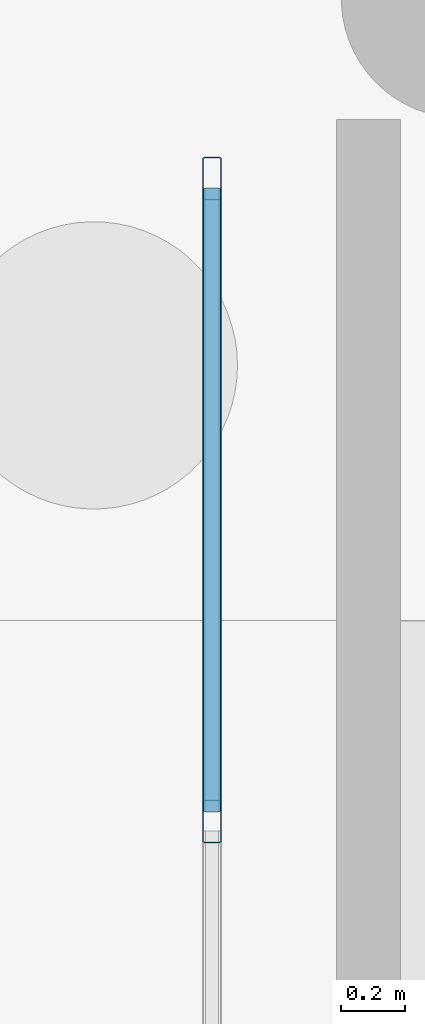
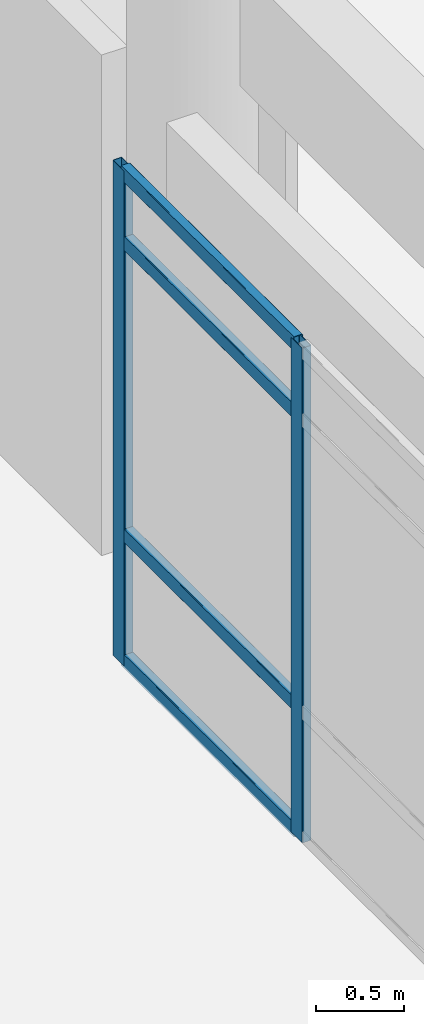
# One storey, part 118 of 196: 6 members, 1 element without a shape of its own.
"""IFC4 building model written with IfcOpenShell, lengths in metres."""

import ifcopenshell
import ifcopenshell.guid

model = None  # the IFC model being written
_history = None  # IfcOwnerHistory: only IFC2X3 demands one
_inside = {}  # id of a spatial element -> (the spatial element, [elements in it])
_under = {}  # id of a project, library or spatial element -> (it, [spatial elements below it])
_declared = {}  # id of a project -> (the project, [libraries it declares])
_typed = {}  # id of a type object -> (the type object, [elements of that type])
_made_of = {}  # id of a material, layer set ... -> (it, [elements and type objects made of it])


def new_model(schema):
    """Start an empty IFC model of exactly this schema.

    Asked for "IFC4X3", IfcOpenShell would pick the latest addendum, in which some entities
    have other attributes; the version numbers below select the first issue.
    IFC2X3 requires an IfcOwnerHistory on every rooted entity: one is made here for all.
    """
    global model, _history
    if schema == "IFC4X3":
        model = ifcopenshell.file(schema_version=(4, 3, 0, 0))
    else:
        model = ifcopenshell.file(schema=schema)
    _inside.clear()
    _under.clear()
    _declared.clear()
    _typed.clear()
    _made_of.clear()
    _history = None
    if model.schema == "IFC2X3":
        org = make("IfcOrganization", Name="unknown")
        user = make(
            "IfcPersonAndOrganization",
            ThePerson=make("IfcPerson", FamilyName="unknown"),
            TheOrganization=org,
        )
        app = make(
            "IfcApplication",
            ApplicationDeveloper=org,
            Version="unknown",
            ApplicationFullName="unknown",
            ApplicationIdentifier="unknown",
        )
        _history = make(
            "IfcOwnerHistory",
            OwningUser=user,
            OwningApplication=app,
            ChangeAction="ADDED",
            CreationDate=0,
        )
    return model


def make(cls, **values):
    """One entity of the class cls with the attributes given. An attribute that is None is left unset."""
    return model.create_entity(
        cls, **{name: value for name, value in values.items() if value is not None}
    )


def rooted(cls, **values):
    """An entity with a GlobalId (a new one), such as an element, a storey or a relation."""
    return make(cls, GlobalId=ifcopenshell.guid.new(), OwnerHistory=_history, **values)


def si_unit(unit_type, name, prefix=None):
    """IfcSIUnit, for example si_unit("LENGTHUNIT", "METRE", prefix="MILLI")."""
    return make("IfcSIUnit", UnitType=unit_type, Prefix=prefix, Name=name)


def assignment(units):
    """IfcUnitAssignment: the units of a project."""
    return None if units is None else make("IfcUnitAssignment", Units=units)


def point(xyz):
    """IfcCartesianPoint."""
    return None if xyz is None else make("IfcCartesianPoint", Coordinates=xyz)


def direction(xyz):
    """IfcDirection."""
    return None if xyz is None else make("IfcDirection", DirectionRatios=xyz)


def frame(location, z_axis=None, x_axis=None):
    """IfcAxis2Placement3D, a coordinate frame: its origin and axes. An axis left out is left unset."""
    return make(
        "IfcAxis2Placement3D",
        Location=point(location),
        Axis=direction(z_axis),
        RefDirection=direction(x_axis),
    )


def frame_2d(location, x_axis=None):
    """IfcAxis2Placement2D, a coordinate frame in the plane: its origin and x axis."""
    return make(
        "IfcAxis2Placement2D", Location=point(location), RefDirection=direction(x_axis)
    )


def origin():
    """The frame at (0, 0, 0) with its axes left unset."""
    return frame((0.0, 0.0, 0.0))


def origin_2d():
    """The frame at (0, 0) in the plane with its x axis left unset."""
    return frame_2d((0.0, 0.0))


def place(relative_to, where):
    """IfcLocalPlacement: puts the frame where relative to a parent placement (None: the world)."""
    return make(
        "IfcLocalPlacement", PlacementRelTo=relative_to, RelativePlacement=where
    )


def context(
    kind, dimensions, precision=None, world=None, true_north=None, identifier=None
):
    """IfcGeometricRepresentationContext, for example the 3D "Model" context."""
    return make(
        "IfcGeometricRepresentationContext",
        ContextIdentifier=identifier,
        ContextType=kind,
        CoordinateSpaceDimension=dimensions,
        Precision=precision,
        WorldCoordinateSystem=world,
        TrueNorth=true_north,
    )


def subcontext(parent, identifier, kind, view, scale=None):
    """IfcGeometricRepresentationSubContext, for example "Body" below "Model"."""
    return make(
        "IfcGeometricRepresentationSubContext",
        ContextIdentifier=identifier,
        ContextType=kind,
        ParentContext=parent,
        TargetScale=scale,
        TargetView=view,
    )


def project(units=None, contexts=None):
    """IfcProject with its units and contexts."""
    return rooted(
        "IfcProject",
        Name="project",
        RepresentationContexts=contexts,
        UnitsInContext=assignment(units),
    )


def spatial(cls, under=None, at=None, **own):
    """A site, building, storey or space (cls), placed at a placement, below another one or the project."""
    s = rooted(cls, ObjectPlacement=at, **own)
    if under is not None:
        _under.setdefault(under.id(), (under, []))[1].append(s)
    return s


def profile(cls, at=None, kind="AREA", **sizes):
    """A parametric profile (cls). Its sizes go by their IFC names, for example OverallWidth=200.0."""
    return make(cls, ProfileType=kind, Position=at, **sizes)


def hollow_rectangle(**sizes):
    """IfcRectangleHollowProfileDef."""
    return profile("IfcRectangleHollowProfileDef", **sizes)


def extrude(swept, where, along, depth):
    """IfcExtrudedAreaSolid: the profile swept, set in the frame where, extruded along a direction by depth."""
    return make(
        "IfcExtrudedAreaSolid",
        SweptArea=swept,
        Position=where,
        ExtrudedDirection=direction(along),
        Depth=depth,
    )


def shape(context_of_items, identifier, shape_type, items):
    """IfcShapeRepresentation: the items that make up one representation, for example the "Body"."""
    return make(
        "IfcShapeRepresentation",
        ContextOfItems=context_of_items,
        RepresentationIdentifier=identifier,
        RepresentationType=shape_type,
        Items=items,
    )


def material(Name=None, Category=None):
    """IfcMaterial."""
    return make("IfcMaterial", Name=Name, Category=Category)


def layer(
    of_material, thickness, ventilated=None, Name=None, Category=None, Priority=None
):
    """IfcMaterialLayer: one layer of a wall or slab, of a material (None: an air gap)."""
    return make(
        "IfcMaterialLayer",
        Material=of_material,
        LayerThickness=thickness,
        IsVentilated=ventilated,
        Name=Name,
        Category=Category,
        Priority=Priority,
    )


def layer_set(layers, Name=None):
    """IfcMaterialLayerSet."""
    return make("IfcMaterialLayerSet", MaterialLayers=layers, LayerSetName=Name)


def material_profile(
    of_material, cross_section, Name=None, Category=None, Priority=None
):
    """IfcMaterialProfile: a cross section and its material."""
    return make(
        "IfcMaterialProfile",
        Name=Name,
        Material=of_material,
        Profile=cross_section,
        Priority=Priority,
        Category=Category,
    )


def profile_set(profiles, Name=None, composite=None):
    """IfcMaterialProfileSet."""
    return make(
        "IfcMaterialProfileSet",
        Name=Name,
        MaterialProfiles=profiles,
        CompositeProfile=composite,
    )


def made_of(thing, what):
    """Note that an element or type object is made of a material, layer set ...; save() writes the relation."""
    if what is not None:
        _made_of.setdefault(what.id(), (what, []))[1].append(thing)
    return thing


def type_object(cls, material=None, **own):
    """A type object (cls), such as IfcWallType, which elements share."""
    return made_of(rooted(cls, **own), material)


def element(
    cls,
    number,
    at=None,
    inside=None,
    cuts=None,
    type_object=None,
    material=None,
    context=None,
    identifier="Body",
    shape_type=None,
    held_by="IfcProductDefinitionShape",
    body=None,
    shapes=None,
    **own,
):
    """One element of the class cls, such as IfcWall. Its Tag is "e" and its number.

    at: its placement. inside: the storey or other place that contains it. cuts: it is an
    opening in that element (IfcRelVoidsElement). A single representation is given by context,
    identifier, shape_type and body (its items); several are given by shapes. held_by: the class
    of the entity that holds the representations. save() writes the other relations.
    """
    e = rooted(cls, Tag="e%d" % number, ObjectPlacement=at, **own)
    if body is not None:
        shapes = [shape(context, identifier, shape_type, body)]
    if shapes is not None:
        e.Representation = make(held_by, Representations=shapes)
    if inside is not None:
        _inside.setdefault(inside.id(), (inside, []))[1].append(e)
    if cuts is not None:
        rooted(
            "IfcRelVoidsElement", RelatingBuildingElement=cuts, RelatedOpeningElement=e
        )
    if type_object is not None:
        _typed.setdefault(type_object.id(), (type_object, []))[1].append(e)
    return made_of(e, material)


def aggregate(whole, parts):
    """IfcRelAggregates: a whole, such as a stair, and the parts it consists of."""
    return rooted("IfcRelAggregates", RelatingObject=whole, RelatedObjects=parts)


def save(model, path):
    """Write the relations noted so far, then the file.

    IfcRelAggregates (storeys below a building ...), IfcRelContainedInSpatialStructure (elements
    in a storey), IfcRelDefinesByType, IfcRelAssociatesMaterial and IfcRelDeclares: one each for
    every whole, place, type object, material and project.
    """
    for whole, parts in _under.values():
        aggregate(whole, parts)
    for where, things in _inside.values():
        rooted(
            "IfcRelContainedInSpatialStructure",
            RelatedElements=things,
            RelatingStructure=where,
        )
    for kind, things in _typed.values():
        rooted("IfcRelDefinesByType", RelatedObjects=things, RelatingType=kind)
    for what, things in _made_of.values():
        rooted("IfcRelAssociatesMaterial", RelatedObjects=things, RelatingMaterial=what)
    for by, libraries in _declared.values():
        rooted("IfcRelDeclares", RelatingContext=by, RelatedDefinitions=libraries)
    model.write(path)


model = new_model("IFC4")

# Units and contexts
model_context = context("Model", 3, precision=1e-05, world=origin(), true_north=direction((0.0, 1.0)))
body_context = subcontext(model_context, "Body", "Model", "MODEL_VIEW")
ifc_project = project(units=[si_unit("LENGTHUNIT", "METRE"), si_unit("AREAUNIT", "SQUARE_METRE"), si_unit("VOLUMEUNIT", "CUBIC_METRE"), si_unit("PLANEANGLEUNIT", "RADIAN"), si_unit("MASSUNIT", "GRAM", prefix="KILO")], contexts=[model_context])

# Site, building, storey
site_placement = place(None, origin())
site = spatial("IfcSite", under=ifc_project, at=site_placement, CompositionType="ELEMENT")
building_placement = place(site_placement, origin())
building = spatial("IfcBuilding", under=site, at=building_placement, Name="Asteropetra Specialist Clinic", CompositionType="ELEMENT")
storey_placement = place(building_placement, origin())
storey = spatial("IfcBuildingStorey", under=building, at=storey_placement, Name="L00", CompositionType="ELEMENT", Elevation=0.0)

# Curtain wall, members
ifc_material_1 = material(Name="Aluminium and low-E glass", Category="aluminium")
ifc_layer = layer(ifc_material_1, 0.135009765625)
ifc_layer_set = layer_set([ifc_layer], Name="Aluminium and low-E glass")
curtain_wall_type = type_object("IfcCurtainWallType", Name="CW-SYS-12", PredefinedType="USERDEFINED", material=ifc_layer_set)
curtain_wall_placement = place(storey_placement, origin())
curtain_wall = element("IfcCurtainWall", 1, at=curtain_wall_placement, inside=storey, type_object=curtain_wall_type, Name="Curtain Wall CW-191", ObjectType="STICK GLAZED COLONNADE", PredefinedType="USERDEFINED")
ifc_material_2 = material(Name="Aluminium 6063-T6", Category="aluminium")
ifc_material_profile_1 = material_profile(ifc_material_2, hollow_rectangle(XDim=0.06005859375, YDim=0.135009765625, WallThickness=0.00341796875, InnerFilletRadius=0.00341796875, OuterFilletRadius=0.007080078125, at=origin_2d()), Name="MUL 135x60x3.5")
ifc_profile_set_1 = profile_set([ifc_material_profile_1], Name="Aluminium 6063-T6")
member_type_1 = type_object("IfcMemberType", Name="CWM-135x60", PredefinedType="MULLION", material=ifc_profile_set_1)
member_1_placement = place(storey_placement, frame((76.02001953125, 103.021728515625, 0.0), z_axis=(0.0, 0.0, 1.0), x_axis=(-1.0, 0.0, 0.0)))
member_1 = element("IfcMember", 2, at=member_1_placement, type_object=member_type_1, Name="CW-191 mullion 3", PredefinedType="MULLION", context=body_context, shape_type="SweptSolid", body=[
    extrude(hollow_rectangle(XDim=0.06005859375, YDim=0.135009765625, WallThickness=0.00341796875, InnerFilletRadius=0.00341796875, OuterFilletRadius=0.007080078125, at=origin_2d()), origin(), (0.0, 0.0, 1.0), 3.419921875),
])
member_2_placement = place(storey_placement, frame((76.02001953125, 105.034912109375, 0.0), z_axis=(0.0, 0.0, 1.0), x_axis=(-1.0, 0.0, 0.0)))
member_2 = element("IfcMember", 3, at=member_2_placement, type_object=member_type_1, Name="CW-191 mullion 4", PredefinedType="MULLION", context=body_context, shape_type="SweptSolid", body=[
    extrude(hollow_rectangle(XDim=0.06005859375, YDim=0.135009765625, WallThickness=0.00341796875, InnerFilletRadius=0.00341796875, OuterFilletRadius=0.007080078125, at=origin_2d()), origin(), (0.0, 0.0, 1.0), 3.419921875),
])
ifc_material_3 = material(Name="Aluminium 6063-T6", Category="aluminium")
ifc_material_profile_2 = material_profile(ifc_material_3, hollow_rectangle(XDim=0.06005859375, YDim=0.10009765625, WallThickness=0.00341796875, InnerFilletRadius=0.00341796875, OuterFilletRadius=0.007080078125, at=origin_2d()), Name="TRN 100x60x3.5")
ifc_profile_set_2 = profile_set([ifc_material_profile_2], Name="Aluminium 6063-T6")
member_type_2 = type_object("IfcMemberType", Name="CWT-100x60", PredefinedType="USERDEFINED", material=ifc_profile_set_2)
member_3_placement = place(storey_placement, frame((76.02001953125, 103.0517578125, 0.030029296875), z_axis=(0.0, 1.0, 0.0), x_axis=(-1.0, 0.0, 0.0)))
member_3 = element("IfcMember", 4, at=member_3_placement, type_object=member_type_2, Name="CW-191 transom 3.1", ObjectType="TRANSOM", PredefinedType="USERDEFINED", context=body_context, shape_type="SweptSolid", body=[
    extrude(hollow_rectangle(XDim=0.06005859375, YDim=0.10009765625, WallThickness=0.00341796875, InnerFilletRadius=0.00341796875, OuterFilletRadius=0.007080078125, at=origin_2d()), origin(), (0.0, 0.0, 1.0), 1.953125),
])
member_4_placement = place(storey_placement, frame((76.02001953125, 103.0517578125, 0.89990234375), z_axis=(0.0, 1.0, 0.0), x_axis=(-1.0, 0.0, 0.0)))
member_4 = element("IfcMember", 5, at=member_4_placement, type_object=member_type_2, Name="CW-191 transom 3.2", ObjectType="TRANSOM", PredefinedType="USERDEFINED", context=body_context, shape_type="SweptSolid", body=[
    extrude(hollow_rectangle(XDim=0.06005859375, YDim=0.10009765625, WallThickness=0.00341796875, InnerFilletRadius=0.00341796875, OuterFilletRadius=0.007080078125, at=origin_2d()), origin(), (0.0, 0.0, 1.0), 1.953125),
])
member_5_placement = place(storey_placement, frame((76.02001953125, 103.0517578125, 2.919921875), z_axis=(0.0, 1.0, 0.0), x_axis=(-1.0, 0.0, 0.0)))
member_5 = element("IfcMember", 6, at=member_5_placement, type_object=member_type_2, Name="CW-191 transom 3.3", ObjectType="TRANSOM", PredefinedType="USERDEFINED", context=body_context, shape_type="SweptSolid", body=[
    extrude(hollow_rectangle(XDim=0.06005859375, YDim=0.10009765625, WallThickness=0.00341796875, InnerFilletRadius=0.00341796875, OuterFilletRadius=0.007080078125, at=origin_2d()), origin(), (0.0, 0.0, 1.0), 1.953125),
])
member_6_placement = place(storey_placement, frame((76.02001953125, 103.0517578125, 3.389892578125), z_axis=(0.0, 1.0, 0.0), x_axis=(-1.0, 0.0, 0.0)))
member_6 = element("IfcMember", 7, at=member_6_placement, type_object=member_type_2, Name="CW-191 transom 3.4", ObjectType="TRANSOM", PredefinedType="USERDEFINED", context=body_context, shape_type="SweptSolid", body=[
    extrude(hollow_rectangle(XDim=0.06005859375, YDim=0.10009765625, WallThickness=0.00341796875, InnerFilletRadius=0.00341796875, OuterFilletRadius=0.007080078125, at=origin_2d()), origin(), (0.0, 0.0, 1.0), 1.953125),
])
aggregate(curtain_wall, [member_1, member_2, member_3, member_4, member_5, member_6])

save(model, "model.ifc")
